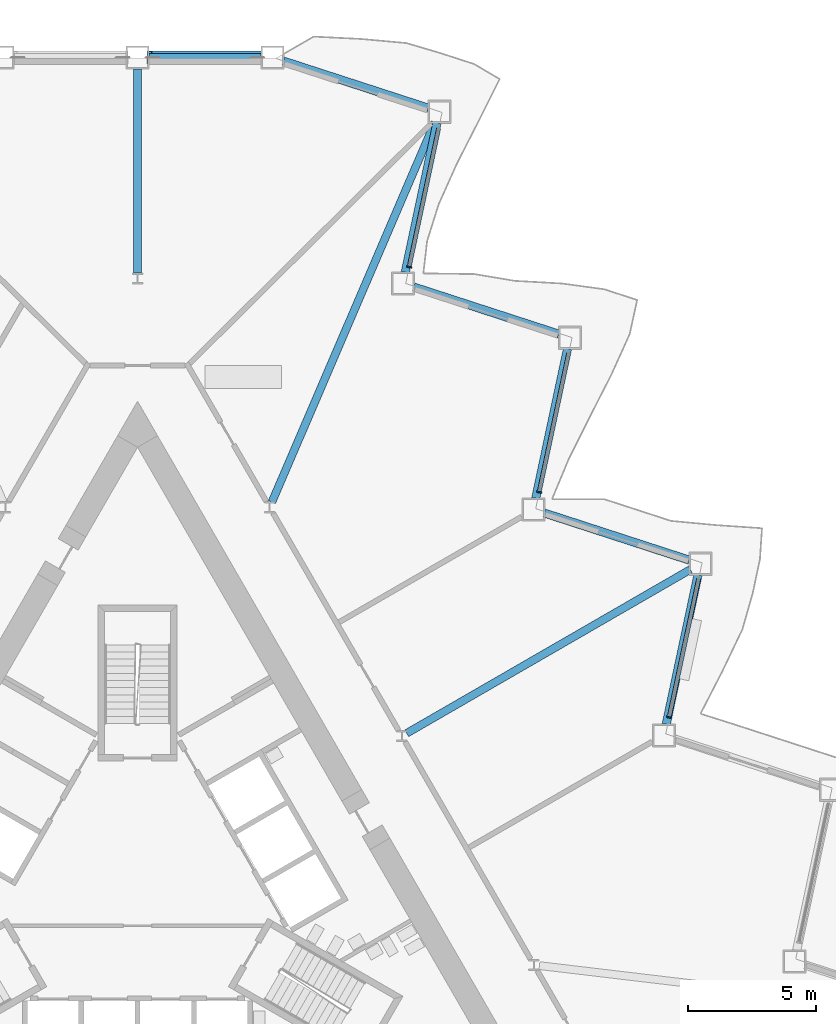
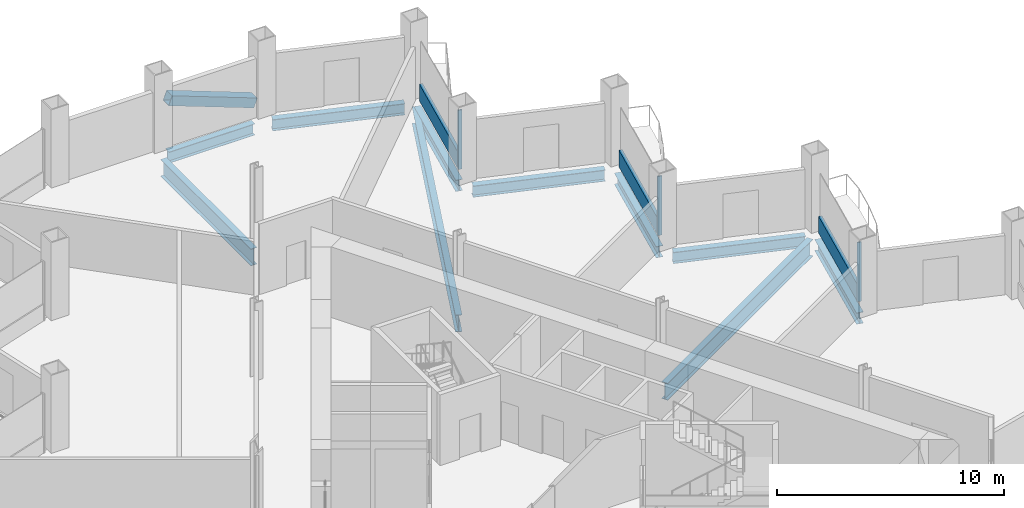
# One storey, part 8 of 21: 10 beams, 7 members, 3 elements without a shape of their own.
"""IFC4 building model written with IfcOpenShell, lengths in metres."""

from ifc_helpers import new_model, si_unit, direction, frame, origin, origin_2d, place, context, subcontext, project, spatial, rectangle, hollow_rectangle, i_section, extrude, material, layer, layer_set, material_profile, profile_set, type_object, element, aggregate, save


model = new_model("IFC4")

# Units and contexts
model_context = context("Model", 3, precision=1e-05, world=origin(), true_north=direction((0.0, 1.0)))
body_context = subcontext(model_context, "Body", "Model", "MODEL_VIEW")
ifc_project = project(units=[si_unit("LENGTHUNIT", "METRE"), si_unit("AREAUNIT", "SQUARE_METRE"), si_unit("VOLUMEUNIT", "CUBIC_METRE"), si_unit("PLANEANGLEUNIT", "RADIAN"), si_unit("MASSUNIT", "GRAM", prefix="KILO")], contexts=[model_context])

# Site, building, storey
site_placement = place(None, origin())
site = spatial("IfcSite", under=ifc_project, at=site_placement, CompositionType="ELEMENT")
building_placement = place(site_placement, origin())
building = spatial("IfcBuilding", under=site, at=building_placement, Name="Cormorant Prow Tower", CompositionType="ELEMENT")
storey_placement = place(building_placement, frame((0.0, 0.0, 145.800048828125)))
storey = spatial("IfcBuildingStorey", under=building, at=storey_placement, Name="L31", CompositionType="ELEMENT", Elevation=145.800048828125)

# Member
ifc_material_1 = material(Name="Structural steel ASTM A500 Gr C", Category="steel")
ifc_material_profile_1 = material_profile(ifc_material_1, hollow_rectangle(XDim=0.508056640625, YDim=0.508056640625, WallThickness=0.014892578125, at=origin_2d()), Name="HSS20x20x5/8")
ifc_profile_set_1 = profile_set([ifc_material_profile_1], Name="Structural steel ASTM A500 Gr C")
member_type_1 = type_object("IfcMemberType", Name="Chamfer brace HSS20x20x5/8", PredefinedType="BRACE", material=ifc_profile_set_1)
member_1_placement = place(storey_placement, frame((4.8017578125, 32.487060546875, 0.776611328125), z_axis=(-0.935582009332, 0.0, 0.353109478511), x_axis=(0.0, -1.0, 0.0)))
element("IfcMember", 1, at=member_1_placement, inside=storey, type_object=member_type_1, Name="Chamfer brace BR1 at N00 L31", PredefinedType="BRACE", context=body_context, shape_type="SweptSolid", body=[
    extrude(hollow_rectangle(XDim=0.508056640625, YDim=0.508056640625, WallThickness=0.014892578125, at=origin_2d()), origin(), (0.0, 0.0, 1.0), 4.63232421875),
])

# Curtain wall, member
ifc_material_2 = material(Name="Aluminium 6063-T6", Category="aluminium")
ifc_layer = layer(ifc_material_2, 0.199951171875)
ifc_layer_set = layer_set([ifc_layer], Name="Aluminium 6063-T6")
curtain_wall_type = type_object("IfcCurtainWallType", Name="Office unitised curtain wall 200", PredefinedType="NOTDEFINED", material=ifc_layer_set)
curtain_wall_1_placement = place(storey_placement, origin())
curtain_wall_1 = element("IfcCurtainWall", 2, at=curtain_wall_1_placement, inside=storey, type_object=curtain_wall_type, Name="Office curtain wall ENE04", PredefinedType="NOTDEFINED")
ifc_material_3 = material(Name="Aluminium 6063-T6", Category="aluminium")
ifc_material_profile_2 = material_profile(ifc_material_3, rectangle(XDim=0.199951171875, YDim=0.06005859375, at=origin_2d()), Name="Office mullion 60x200")
ifc_profile_set_2 = profile_set([ifc_material_profile_2], Name="Aluminium 6063-T6")
member_type_2 = type_object("IfcMemberType", Name="Office mullion 60x200", PredefinedType="MULLION", material=ifc_profile_set_2)
member_2_placement = place(storey_placement, frame((20.780517578125, 6.70166015625, 0.0), z_axis=(0.0, 0.0, 1.0), x_axis=(-0.978147605999, 0.207911666046, 0.0)))
member_2 = element("IfcMember", 3, at=member_2_placement, type_object=member_type_2, Name="Office mullion ENE04", PredefinedType="MULLION", context=body_context, shape_type="SweptSolid", body=[
    extrude(rectangle(XDim=0.199951171875, YDim=0.06005859375, at=origin_2d()), origin(), (0.0, 0.0, 1.0), 3.18896484375),
])

curtain_wall_2_placement = place(storey_placement, origin())
curtain_wall_2 = element("IfcCurtainWall", 4, at=curtain_wall_2_placement, inside=storey, type_object=curtain_wall_type, Name="Office curtain wall ENE06", PredefinedType="NOTDEFINED")
member_3_placement = place(storey_placement, frame((15.69921875, 15.5029296875, 0.0), z_axis=(0.0, 0.0, 1.0), x_axis=(-0.978147599674, 0.207911695803, 0.0)))
member_3 = element("IfcMember", 5, at=member_3_placement, type_object=member_type_2, Name="Office mullion ENE06", PredefinedType="MULLION", context=body_context, shape_type="SweptSolid", body=[
    extrude(rectangle(XDim=0.199951171875, YDim=0.06005859375, at=origin_2d()), origin(), (0.0, 0.0, 1.0), 3.18896484375),
])

curtain_wall_3_placement = place(storey_placement, origin())
curtain_wall_3 = element("IfcCurtainWall", 6, at=curtain_wall_3_placement, inside=storey, type_object=curtain_wall_type, Name="Office curtain wall ENE08", PredefinedType="NOTDEFINED")
member_4_placement = place(storey_placement, frame((10.61767578125, 24.30419921875, 0.0), z_axis=(0.0, 0.0, 1.0), x_axis=(-0.978147605999, 0.207911666046, 0.0)))
member_4 = element("IfcMember", 7, at=member_4_placement, type_object=member_type_2, Name="Office mullion ENE08", PredefinedType="MULLION", context=body_context, shape_type="SweptSolid", body=[
    extrude(rectangle(XDim=0.199951171875, YDim=0.06005859375, at=origin_2d()), origin(), (0.0, 0.0, 1.0), 3.18896484375),
])

# Member
ifc_material_4 = material(Name="Terracotta", Category="masonry")
ifc_material_profile_3 = material_profile(ifc_material_4, rectangle(XDim=0.159912109375, YDim=0.89990234375, at=origin_2d()), Name="Office terracotta spandrel rail 160x900")
ifc_profile_set_3 = profile_set([ifc_material_profile_3], Name="Terracotta")
member_type_3 = type_object("IfcMemberType", Name="Office terracotta spandrel rail 160x900", PredefinedType="USERDEFINED", material=ifc_profile_set_3)
member_5_placement = place(storey_placement, frame((20.786865234375, 6.73095703125, 0.449951171875), z_axis=(0.207878378183, 0.97815468096, 0.0), x_axis=(-0.97815468096, 0.207878378183, 0.0)))
member_5 = element("IfcMember", 8, at=member_5_placement, type_object=member_type_3, Name="Office spandrel rail ENE04", ObjectType="TRANSOM", PredefinedType="USERDEFINED", context=body_context, shape_type="SweptSolid", body=[
    extrude(rectangle(XDim=0.159912109375, YDim=0.89990234375, at=origin_2d()), origin(), (0.0, 0.0, 1.0), 5.505859375),
])

aggregate(curtain_wall_1, [member_2, member_5])

member_6_placement = place(storey_placement, frame((15.705322265625, 15.5322265625, 0.449951171875), z_axis=(0.207920804056, 0.978145663611, 0.0), x_axis=(-0.978145663611, 0.207920804056, 0.0)))
member_6 = element("IfcMember", 9, at=member_6_placement, type_object=member_type_3, Name="Office spandrel rail ENE06", ObjectType="TRANSOM", PredefinedType="USERDEFINED", context=body_context, shape_type="SweptSolid", body=[
    extrude(rectangle(XDim=0.159912109375, YDim=0.89990234375, at=origin_2d()), origin(), (0.0, 0.0, 1.0), 5.505859375),
])

aggregate(curtain_wall_2, [member_3, member_6])

member_7_placement = place(storey_placement, frame((10.6240234375, 24.33349609375, 0.449951171875), z_axis=(0.207878378183, 0.97815468096, 0.0), x_axis=(-0.97815468096, 0.207878378183, 0.0)))
member_7 = element("IfcMember", 10, at=member_7_placement, type_object=member_type_3, Name="Office spandrel rail ENE08", ObjectType="TRANSOM", PredefinedType="USERDEFINED", context=body_context, shape_type="SweptSolid", body=[
    extrude(rectangle(XDim=0.159912109375, YDim=0.89990234375, at=origin_2d()), origin(), (0.0, 0.0, 1.0), 5.505859375),
])

aggregate(curtain_wall_3, [member_4, member_7])

# Beams
ifc_material_5 = material(Name="Structural steel ASTM A992 Gr 50", Category="steel")
ifc_material_profile_4 = material_profile(ifc_material_5, i_section(OverallWidth=0.3046875, OverallDepth=0.914794921875, WebThickness=0.0166015625, FlangeThickness=0.02587890625, at=origin_2d()), Name="W36x160")
ifc_profile_set_4 = profile_set([ifc_material_profile_4], Name="Structural steel ASTM A992 Gr 50")
beam_type_1 = type_object("IfcBeamType", Name="Radial floor beam W36x160", PredefinedType="BEAM", material=ifc_profile_set_4)
beam_1_placement = place(storey_placement, frame((0.0, 24.070068359375, -0.857421875), z_axis=(0.0, 1.0, 0.0), x_axis=(-1.0, 0.0, 0.0)))
element("IfcBeam", 11, at=beam_1_placement, inside=storey, type_object=beam_type_1, Name="Radial floor beam FB1 1 L31", PredefinedType="BEAM", context=body_context, shape_type="SweptSolid", body=[
    extrude(i_section(OverallWidth=0.3046875, OverallDepth=0.914794921875, WebThickness=0.0166015625, FlangeThickness=0.02587890625, at=origin_2d()), origin(), (0.0, 0.0, 1.0), 7.966796875),
])
beam_2_placement = place(storey_placement, frame((10.516845703125, 6.07177734375, -0.857421875), z_axis=(0.866021760006, 0.500006311156, 0.0), x_axis=(-0.500006311156, 0.866021760006, 0.0)))
element("IfcBeam", 12, at=beam_2_placement, inside=storey, type_object=beam_type_1, Name="Radial floor beam FB1 11 L31", PredefinedType="BEAM", context=body_context, shape_type="SweptSolid", body=[
    extrude(i_section(OverallWidth=0.3046875, OverallDepth=0.914794921875, WebThickness=0.0166015625, FlangeThickness=0.02587890625, at=origin_2d()), origin(), (0.0, 0.0, 1.0), 12.805419921875),
])
beam_3_placement = place(storey_placement, frame((5.25, 15.107666015625, -0.857421875), z_axis=(0.394273140268, 0.918993302948, 0.0), x_axis=(-0.918993302948, 0.394273140268, 0.0)))
element("IfcBeam", 13, at=beam_3_placement, inside=storey, type_object=beam_type_1, Name="Radial floor beam FB1 12 L31", PredefinedType="BEAM", context=body_context, shape_type="SweptSolid", body=[
    extrude(i_section(OverallWidth=0.3046875, OverallDepth=0.914794921875, WebThickness=0.0166015625, FlangeThickness=0.02587890625, at=origin_2d()), origin(), (0.0, 0.0, 1.0), 16.153564453125),
])
ifc_material_6 = material(Name="Structural steel ASTM A992 Gr 50", Category="steel")
ifc_material_profile_5 = material_profile(ifc_material_6, i_section(OverallWidth=0.32373046875, OverallDepth=0.611083984375, WebThickness=0.0126953125, FlangeThickness=0.01904296875, at=origin_2d()), Name="W24x104")
ifc_profile_set_5 = profile_set([ifc_material_profile_5], Name="Structural steel ASTM A992 Gr 50")
beam_type_2 = type_object("IfcBeamType", Name="Spandrel beam W24x104", PredefinedType="SPANDREL", material=ifc_profile_set_5)
beam_4_placement = place(storey_placement, frame((20.6630859375, 6.427001953125, -0.70556640625), z_axis=(0.207912620873, 0.978147403044, 0.0), x_axis=(-0.978147403044, 0.207912620873, 0.0)))
element("IfcBeam", 14, at=beam_4_placement, inside=storey, type_object=beam_type_2, Name="Spandrel beam SB1 ENE04-ENE05 L31", PredefinedType="SPANDREL", context=body_context, shape_type="SweptSolid", body=[
    extrude(i_section(OverallWidth=0.32373046875, OverallDepth=0.611083984375, WebThickness=0.0126953125, FlangeThickness=0.01904296875, at=origin_2d()), origin(), (0.0, 0.0, 1.0), 5.962890625),
])
for number, where, z_axis, x_axis, name in (
    (15, (21.568359375, 12.838623046875, -0.70556640625), (-0.951059340519, 0.309008302174, 0.0), (-0.309008302174, -0.951059340519, 0.0), "Spandrel beam SB1 ENE05-ENE06 L31"),
    (16, (15.56298828125, 15.260498046875, -0.70556640625), (0.207920947907, 0.978145633033, 0.0), (-0.978145633033, 0.207920947907, 0.0), "Spandrel beam SB1 ENE06-ENE07 L31"),
):
    element("IfcBeam", number, at=place(storey_placement, frame(where, z_axis=z_axis, x_axis=x_axis)), inside=storey, type_object=beam_type_2, Name=name, PredefinedType="SPANDREL", context=body_context, shape_type="SweptSolid", body=[
        extrude(i_section(OverallWidth=0.32373046875, OverallDepth=0.611083984375, WebThickness=0.0126953125, FlangeThickness=0.01904296875, at=origin_2d()), origin(), (0.0, 0.0, 1.0), 5.962646484375),
    ])
beam_5_placement = place(storey_placement, frame((16.468505859375, 21.671875, -0.70556640625), z_axis=(-0.95104730696, 0.309045336358, 0.0), x_axis=(-0.309045336358, -0.95104730696, 0.0)))
element("IfcBeam", 17, at=beam_5_placement, inside=storey, type_object=beam_type_2, Name="Spandrel beam SB1 ENE07-ENE08 L31", PredefinedType="SPANDREL", context=body_context, shape_type="SweptSolid", body=[
    extrude(i_section(OverallWidth=0.32373046875, OverallDepth=0.611083984375, WebThickness=0.0126953125, FlangeThickness=0.01904296875, at=origin_2d()), origin(), (0.0, 0.0, 1.0), 5.962890625),
])
beam_6_placement = place(storey_placement, frame((10.463134765625, 24.09375, -0.70556640625), z_axis=(0.207920947907, 0.978145633033, 0.0), x_axis=(-0.978145633033, 0.207920947907, 0.0)))
element("IfcBeam", 18, at=beam_6_placement, inside=storey, type_object=beam_type_2, Name="Spandrel beam SB1 ENE08-ENE09 L31", PredefinedType="SPANDREL", context=body_context, shape_type="SweptSolid", body=[
    extrude(i_section(OverallWidth=0.32373046875, OverallDepth=0.611083984375, WebThickness=0.0126953125, FlangeThickness=0.01904296875, at=origin_2d()), origin(), (0.0, 0.0, 1.0), 5.962646484375),
])
beam_7_placement = place(storey_placement, frame((11.368408203125, 30.50537109375, -0.70556640625), z_axis=(-0.951055430656, 0.309020335608, 0.0), x_axis=(-0.309020335608, -0.951055430656, 0.0)))
element("IfcBeam", 19, at=beam_7_placement, inside=storey, type_object=beam_type_2, Name="Spandrel beam SB1 ENE09-N00 L31", PredefinedType="SPANDREL", context=body_context, shape_type="SweptSolid", body=[
    extrude(i_section(OverallWidth=0.32373046875, OverallDepth=0.611083984375, WebThickness=0.0126953125, FlangeThickness=0.01904296875, at=origin_2d()), origin(), (0.0, 0.0, 1.0), 5.96240234375),
])
beam_8_placement = place(storey_placement, frame((4.819580078125, 32.487060546875, -0.70556640625), z_axis=(-1.0, 0.0, 0.0), x_axis=(0.0, -1.0, 0.0)))
element("IfcBeam", 20, at=beam_8_placement, inside=storey, type_object=beam_type_2, Name="Spandrel beam SB1 N00-N01 L31", PredefinedType="SPANDREL", context=body_context, shape_type="SweptSolid", body=[
    extrude(i_section(OverallWidth=0.32373046875, OverallDepth=0.611083984375, WebThickness=0.0126953125, FlangeThickness=0.01904296875, at=origin_2d()), origin(), (0.0, 0.0, 1.0), 4.36962890625),
])

save(model, "model.ifc")
